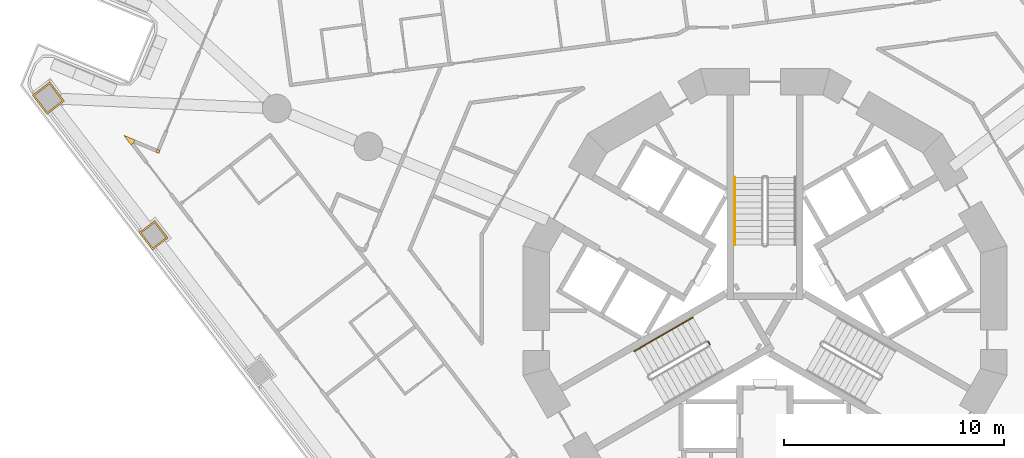
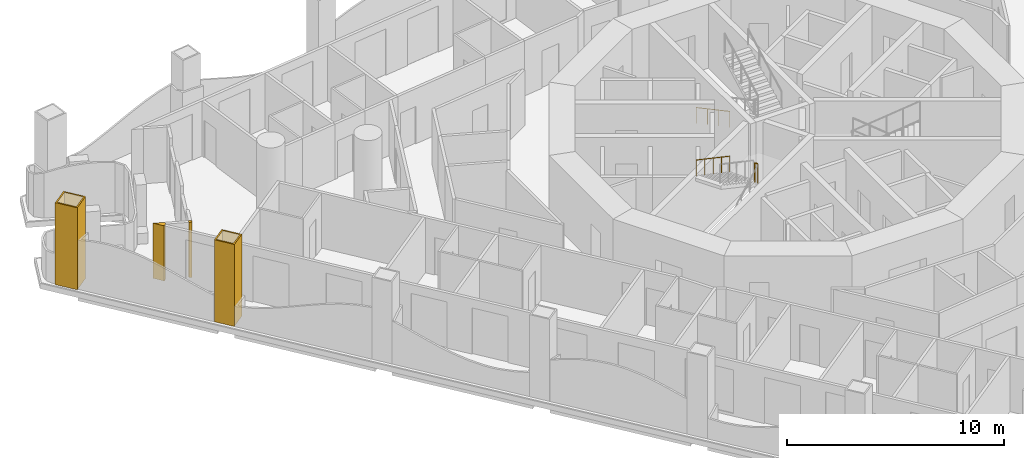
# One storey, part 15 of 19: 4 coverings, 4 railings.
"""IFC4 building model written with IfcOpenShell, lengths in metres."""

import ifcopenshell
import ifcopenshell.guid

model = None  # the IFC model being written
_history = None  # IfcOwnerHistory: only IFC2X3 demands one
_inside = {}  # id of a spatial element -> (the spatial element, [elements in it])
_under = {}  # id of a project, library or spatial element -> (it, [spatial elements below it])
_declared = {}  # id of a project -> (the project, [libraries it declares])
_typed = {}  # id of a type object -> (the type object, [elements of that type])
_made_of = {}  # id of a material, layer set ... -> (it, [elements and type objects made of it])


def new_model(schema):
    """Start an empty IFC model of exactly this schema.

    Asked for "IFC4X3", IfcOpenShell would pick the latest addendum, in which some entities
    have other attributes; the version numbers below select the first issue.
    IFC2X3 requires an IfcOwnerHistory on every rooted entity: one is made here for all.
    """
    global model, _history
    if schema == "IFC4X3":
        model = ifcopenshell.file(schema_version=(4, 3, 0, 0))
    else:
        model = ifcopenshell.file(schema=schema)
    _inside.clear()
    _under.clear()
    _declared.clear()
    _typed.clear()
    _made_of.clear()
    _history = None
    if model.schema == "IFC2X3":
        org = make("IfcOrganization", Name="unknown")
        user = make(
            "IfcPersonAndOrganization",
            ThePerson=make("IfcPerson", FamilyName="unknown"),
            TheOrganization=org,
        )
        app = make(
            "IfcApplication",
            ApplicationDeveloper=org,
            Version="unknown",
            ApplicationFullName="unknown",
            ApplicationIdentifier="unknown",
        )
        _history = make(
            "IfcOwnerHistory",
            OwningUser=user,
            OwningApplication=app,
            ChangeAction="ADDED",
            CreationDate=0,
        )
    return model


def make(cls, **values):
    """One entity of the class cls with the attributes given. An attribute that is None is left unset."""
    return model.create_entity(
        cls, **{name: value for name, value in values.items() if value is not None}
    )


def rooted(cls, **values):
    """An entity with a GlobalId (a new one), such as an element, a storey or a relation."""
    return make(cls, GlobalId=ifcopenshell.guid.new(), OwnerHistory=_history, **values)


def si_unit(unit_type, name, prefix=None):
    """IfcSIUnit, for example si_unit("LENGTHUNIT", "METRE", prefix="MILLI")."""
    return make("IfcSIUnit", UnitType=unit_type, Prefix=prefix, Name=name)


def assignment(units):
    """IfcUnitAssignment: the units of a project."""
    return None if units is None else make("IfcUnitAssignment", Units=units)


def point(xyz):
    """IfcCartesianPoint."""
    return None if xyz is None else make("IfcCartesianPoint", Coordinates=xyz)


def direction(xyz):
    """IfcDirection."""
    return None if xyz is None else make("IfcDirection", DirectionRatios=xyz)


def frame(location, z_axis=None, x_axis=None):
    """IfcAxis2Placement3D, a coordinate frame: its origin and axes. An axis left out is left unset."""
    return make(
        "IfcAxis2Placement3D",
        Location=point(location),
        Axis=direction(z_axis),
        RefDirection=direction(x_axis),
    )


def frame_2d(location, x_axis=None):
    """IfcAxis2Placement2D, a coordinate frame in the plane: its origin and x axis."""
    return make(
        "IfcAxis2Placement2D", Location=point(location), RefDirection=direction(x_axis)
    )


def origin():
    """The frame at (0, 0, 0) with its axes left unset."""
    return frame((0.0, 0.0, 0.0))


def origin_2d():
    """The frame at (0, 0) in the plane with its x axis left unset."""
    return frame_2d((0.0, 0.0))


def place(relative_to, where):
    """IfcLocalPlacement: puts the frame where relative to a parent placement (None: the world)."""
    return make(
        "IfcLocalPlacement", PlacementRelTo=relative_to, RelativePlacement=where
    )


def context(
    kind, dimensions, precision=None, world=None, true_north=None, identifier=None
):
    """IfcGeometricRepresentationContext, for example the 3D "Model" context."""
    return make(
        "IfcGeometricRepresentationContext",
        ContextIdentifier=identifier,
        ContextType=kind,
        CoordinateSpaceDimension=dimensions,
        Precision=precision,
        WorldCoordinateSystem=world,
        TrueNorth=true_north,
    )


def subcontext(parent, identifier, kind, view, scale=None):
    """IfcGeometricRepresentationSubContext, for example "Body" below "Model"."""
    return make(
        "IfcGeometricRepresentationSubContext",
        ContextIdentifier=identifier,
        ContextType=kind,
        ParentContext=parent,
        TargetScale=scale,
        TargetView=view,
    )


def project(units=None, contexts=None):
    """IfcProject with its units and contexts."""
    return rooted(
        "IfcProject",
        Name="project",
        RepresentationContexts=contexts,
        UnitsInContext=assignment(units),
    )


def spatial(cls, under=None, at=None, **own):
    """A site, building, storey or space (cls), placed at a placement, below another one or the project."""
    s = rooted(cls, ObjectPlacement=at, **own)
    if under is not None:
        _under.setdefault(under.id(), (under, []))[1].append(s)
    return s


def polyline(points):
    """IfcPolyline through the points."""
    return make("IfcPolyline", Points=[point(p) for p in points])


def profile(cls, at=None, kind="AREA", **sizes):
    """A parametric profile (cls). Its sizes go by their IFC names, for example OverallWidth=200.0."""
    return make(cls, ProfileType=kind, Position=at, **sizes)


def circle(**sizes):
    """IfcCircleProfileDef."""
    return profile("IfcCircleProfileDef", **sizes)


def outline(outer, holes=None, kind="AREA"):
    """IfcArbitraryClosedProfileDef: a profile drawn as a closed curve; with holes, ...WithVoids."""
    if holes is None:
        return make("IfcArbitraryClosedProfileDef", ProfileType=kind, OuterCurve=outer)
    return make(
        "IfcArbitraryProfileDefWithVoids",
        ProfileType=kind,
        OuterCurve=outer,
        InnerCurves=holes,
    )


def extrude(swept, where, along, depth):
    """IfcExtrudedAreaSolid: the profile swept, set in the frame where, extruded along a direction by depth."""
    return make(
        "IfcExtrudedAreaSolid",
        SweptArea=swept,
        Position=where,
        ExtrudedDirection=direction(along),
        Depth=depth,
    )


def shape(context_of_items, identifier, shape_type, items):
    """IfcShapeRepresentation: the items that make up one representation, for example the "Body"."""
    return make(
        "IfcShapeRepresentation",
        ContextOfItems=context_of_items,
        RepresentationIdentifier=identifier,
        RepresentationType=shape_type,
        Items=items,
    )


def material(Name=None, Category=None):
    """IfcMaterial."""
    return make("IfcMaterial", Name=Name, Category=Category)


def layer(
    of_material, thickness, ventilated=None, Name=None, Category=None, Priority=None
):
    """IfcMaterialLayer: one layer of a wall or slab, of a material (None: an air gap)."""
    return make(
        "IfcMaterialLayer",
        Material=of_material,
        LayerThickness=thickness,
        IsVentilated=ventilated,
        Name=Name,
        Category=Category,
        Priority=Priority,
    )


def layer_set(layers, Name=None):
    """IfcMaterialLayerSet."""
    return make("IfcMaterialLayerSet", MaterialLayers=layers, LayerSetName=Name)


def made_of(thing, what):
    """Note that an element or type object is made of a material, layer set ...; save() writes the relation."""
    if what is not None:
        _made_of.setdefault(what.id(), (what, []))[1].append(thing)
    return thing


def type_object(cls, material=None, **own):
    """A type object (cls), such as IfcWallType, which elements share."""
    return made_of(rooted(cls, **own), material)


def element(
    cls,
    number,
    at=None,
    inside=None,
    cuts=None,
    type_object=None,
    material=None,
    context=None,
    identifier="Body",
    shape_type=None,
    held_by="IfcProductDefinitionShape",
    body=None,
    shapes=None,
    **own,
):
    """One element of the class cls, such as IfcWall. Its Tag is "e" and its number.

    at: its placement. inside: the storey or other place that contains it. cuts: it is an
    opening in that element (IfcRelVoidsElement). A single representation is given by context,
    identifier, shape_type and body (its items); several are given by shapes. held_by: the class
    of the entity that holds the representations. save() writes the other relations.
    """
    e = rooted(cls, Tag="e%d" % number, ObjectPlacement=at, **own)
    if body is not None:
        shapes = [shape(context, identifier, shape_type, body)]
    if shapes is not None:
        e.Representation = make(held_by, Representations=shapes)
    if inside is not None:
        _inside.setdefault(inside.id(), (inside, []))[1].append(e)
    if cuts is not None:
        rooted(
            "IfcRelVoidsElement", RelatingBuildingElement=cuts, RelatedOpeningElement=e
        )
    if type_object is not None:
        _typed.setdefault(type_object.id(), (type_object, []))[1].append(e)
    return made_of(e, material)


def aggregate(whole, parts):
    """IfcRelAggregates: a whole, such as a stair, and the parts it consists of."""
    return rooted("IfcRelAggregates", RelatingObject=whole, RelatedObjects=parts)


def save(model, path):
    """Write the relations noted so far, then the file.

    IfcRelAggregates (storeys below a building ...), IfcRelContainedInSpatialStructure (elements
    in a storey), IfcRelDefinesByType, IfcRelAssociatesMaterial and IfcRelDeclares: one each for
    every whole, place, type object, material and project.
    """
    for whole, parts in _under.values():
        aggregate(whole, parts)
    for where, things in _inside.values():
        rooted(
            "IfcRelContainedInSpatialStructure",
            RelatedElements=things,
            RelatingStructure=where,
        )
    for kind, things in _typed.values():
        rooted("IfcRelDefinesByType", RelatedObjects=things, RelatingType=kind)
    for what, things in _made_of.values():
        rooted("IfcRelAssociatesMaterial", RelatedObjects=things, RelatingMaterial=what)
    for by, libraries in _declared.values():
        rooted("IfcRelDeclares", RelatingContext=by, RelatedDefinitions=libraries)
    model.write(path)


model = new_model("IFC4")

# Units and contexts
model_context = context("Model", 3, precision=1e-05, world=origin(), true_north=direction((0.0, 1.0)))
body_context = subcontext(model_context, "Body", "Model", "MODEL_VIEW")
ifc_project = project(units=[si_unit("LENGTHUNIT", "METRE"), si_unit("AREAUNIT", "SQUARE_METRE"), si_unit("VOLUMEUNIT", "CUBIC_METRE"), si_unit("PLANEANGLEUNIT", "RADIAN"), si_unit("MASSUNIT", "GRAM", prefix="KILO")], contexts=[model_context])

# Site, building, storey
site_placement = place(None, origin())
site = spatial("IfcSite", under=ifc_project, at=site_placement, CompositionType="ELEMENT")
building_placement = place(site_placement, origin())
building = spatial("IfcBuilding", under=site, at=building_placement, Name="Trine Commons Tower", CompositionType="ELEMENT")
storey_placement = place(building_placement, frame((0.0, 0.0, 79.199951171875)))
storey = spatial("IfcBuildingStorey", under=building, at=storey_placement, Name="L19", CompositionType="ELEMENT", Elevation=79.199951171875)

# Coverings
ifc_material_1 = material(Name="Aluminium-framed insulated wall panel", Category="aluminium")
ifc_layer_1 = layer(ifc_material_1, 0.14990234375)
ifc_layer_set_1 = layer_set([ifc_layer_1], Name="Aluminium-framed insulated wall panel")
covering_type_1 = type_object("IfcCoveringType", Name="Glazing corner post, aluminium", PredefinedType="CLADDING", material=ifc_layer_set_1)
covering_1_placement = place(storey_placement, origin())
element("IfcCovering", 1, at=covering_1_placement, inside=storey, type_object=covering_type_1, Name="Glazing corner post 2-01", PredefinedType="CLADDING", context=body_context, shape_type="SweptSolid", body=[
    extrude(outline(polyline([(51.165771484375, 70.038330078125), (51.28466796875, 70.129638671875), (51.342041015625, 70.268310546875), (50.824951171875, 70.482421875), (51.165771484375, 70.038330078125)])), origin(), (0.0, 0.0, 1.0), 3.10009765625),
])
covering_2_placement = place(storey_placement, origin())
element("IfcCovering", 2, at=covering_2_placement, inside=storey, type_object=covering_type_1, Name="Glazing corner post 2-02", PredefinedType="CLADDING", context=body_context, shape_type="SweptSolid", body=[
    extrude(outline(polyline([(52.28759765625, 69.714111328125), (52.42626953125, 69.65673828125), (52.483642578125, 69.79541015625), (52.34521484375, 69.852783203125), (52.28759765625, 69.714111328125)])), origin(), (0.0, 0.0, 1.0), 3.10009765625),
])
ifc_material_2 = material(Name="Limestone, honed", Category="masonry")
ifc_layer_2 = layer(ifc_material_2, 0.074951171875)
ifc_layer_set_2 = layer_set([ifc_layer_2], Name="Limestone, honed")
covering_type_2 = type_object("IfcCoveringType", Name="Limestone column cladding 75", PredefinedType="CLADDING", material=ifc_layer_set_2)
covering_3_placement = place(storey_placement, origin())
element("IfcCovering", 3, at=covering_3_placement, inside=storey, type_object=covering_type_2, Name="Limestone pier cladding 2-07", PredefinedType="CLADDING", context=body_context, shape_type="SweptSolid", body=[
    extrude(outline(polyline([(52.240966796875, 66.599853515625), (51.527099609375, 66.052001953125), (52.1357421875, 65.2587890625), (52.849853515625, 65.806640625), (52.240966796875, 66.599853515625)]), holes=[polyline([(52.227294921875, 66.494873046875), (51.632080078125, 66.0380859375), (52.149658203125, 65.36376953125), (52.74462890625, 65.8203125), (52.227294921875, 66.494873046875)])]), origin(), (0.0, 0.0, 1.0), 4.609619140625),
])
covering_4_placement = place(storey_placement, origin())
element("IfcCovering", 4, at=covering_4_placement, inside=storey, type_object=covering_type_2, Name="Limestone pier cladding 2-08", PredefinedType="CLADDING", context=body_context, shape_type="SweptSolid", body=[
    extrude(outline(polyline([(47.465087890625, 72.90625), (46.671630859375, 72.297607421875), (47.34130859375, 71.4248046875), (48.134765625, 72.033447265625), (47.465087890625, 72.90625)]), holes=[polyline([(47.451171875, 72.801025390625), (46.77685546875, 72.28369140625), (47.355224609375, 71.52978515625), (48.029541015625, 72.04736328125), (47.451171875, 72.801025390625)])]), origin(), (0.0, 0.0, 1.0), 4.609619140625),
])

# Railings
ifc_material_3 = material(Name="Stainless steel balustrade", Category="steel")
railing_type_1 = type_object("IfcRailingType", Name="Stair guard, steel balustrade 1100", PredefinedType="GUARDRAIL", material=ifc_material_3)
railing_1_placement = place(storey_placement, frame((77.490966796875, 60.96484375, 1.800048828125)))
element("IfcRailing", 5, at=railing_1_placement, inside=storey, type_object=railing_type_1, Name="L19 ST2A stair guard 2", PredefinedType="GUARDRAIL", context=body_context, shape_type="SweptSolid", body=[
    extrude(circle(Radius=0.02392578125, at=origin_2d()), frame((0.0, 0.0, 1.076171875), z_axis=(-0.501036270542, 0.865426285481, 0.0), x_axis=(-0.865426285481, -0.501036270542, 0.0)), (0.0, 0.0, 1.0), 0.150146484375),
    extrude(circle(Radius=0.02099609375, at=origin_2d()), origin(), (0.0, 0.0, 1.0), 1.052001953125),
    extrude(circle(Radius=0.02099609375, at=origin_2d()), frame((-0.0751953125, 0.1298828125, 0.0)), (0.0, 0.0, 1.0), 1.052001953125),
])
ifc_material_4 = material(Name="Stainless steel handrail", Category="steel")
railing_type_2 = type_object("IfcRailingType", Name="Stair handrail, steel 900", PredefinedType="HANDRAIL", material=ifc_material_4)
railing_2_placement = place(storey_placement, frame((78.625, 68.570556640625, 0.150146484375)))
element("IfcRailing", 6, at=railing_2_placement, inside=storey, type_object=railing_type_2, Name="L19 ST1A stair handrail 1", PredefinedType="HANDRAIL", context=body_context, shape_type="SweptSolid", body=[
    extrude(circle(Radius=0.02099609375, at=origin_2d()), frame((0.0, 0.0, 0.87890625), z_axis=(0.0, -0.881496589024, 0.472190389079), x_axis=(1.0, 0.0, 0.0)), (0.0, 0.0, 1.0), 3.494140625),
    extrude(circle(Radius=0.01513671875, at=origin_2d()), origin(), (0.0, 0.0, 1.0), 0.85791015625),
    extrude(circle(Radius=0.01513671875, at=origin_2d()), frame((0.0, -1.026611328125, 0.550048828125)), (0.0, 0.0, 1.0), 0.85791015625),
    extrude(circle(Radius=0.01513671875, at=origin_2d()), frame((0.0, -2.053466796875, 1.099853515625)), (0.0, 0.0, 1.0), 0.85791015625),
    extrude(circle(Radius=0.01513671875, at=origin_2d()), frame((0.0, -3.080078125, 1.64990234375)), (0.0, 0.0, 1.0), 0.85791015625),
])
railing_3_placement = place(storey_placement, frame((76.72265625, 62.195556640625, 1.949951171875)))
element("IfcRailing", 7, at=railing_3_placement, inside=storey, type_object=railing_type_2, Name="L19 ST2A stair handrail 3", PredefinedType="HANDRAIL", context=body_context, shape_type="SweptSolid", body=[
    extrude(circle(Radius=0.02099609375, at=origin_2d()), frame((0.0, 0.0, 0.87890625), z_axis=(-0.763354580307, -0.440713956853, 0.472293333596), x_axis=(0.499992328818, -0.866029832698, 0.0)), (0.0, 0.0, 1.0), 1.747314453125),
    extrude(circle(Radius=0.01513671875, at=origin_2d()), origin(), (0.0, 0.0, 1.0), 0.85791015625),
    extrude(circle(Radius=0.01513671875, at=origin_2d()), frame((-0.6669921875, -0.385009765625, 0.41259765625)), (0.0, 0.0, 1.0), 0.85791015625),
    extrude(circle(Radius=0.01513671875, at=origin_2d()), frame((-1.333740234375, -0.77001953125, 0.8251953125)), (0.0, 0.0, 1.0), 0.85791015625),
])
railing_4_placement = place(storey_placement, frame((75.388916015625, 61.425537109375, 2.775146484375)))
element("IfcRailing", 8, at=railing_4_placement, inside=storey, type_object=railing_type_2, Name="L19 ST2A stair handrail 4", PredefinedType="HANDRAIL", context=body_context, shape_type="SweptSolid", body=[
    extrude(circle(Radius=0.02099609375, at=origin_2d()), frame((0.0, 0.0, 0.87890625), z_axis=(-0.76340495495, -0.440743040072, 0.472184759798), x_axis=(0.499992328818, -0.866029832698, 0.0)), (0.0, 0.0, 1.0), 1.7470703125),
    extrude(circle(Radius=0.01513671875, at=origin_2d()), origin(), (0.0, 0.0, 1.0), 0.85791015625),
    extrude(circle(Radius=0.01513671875, at=origin_2d()), frame((-0.6669921875, -0.385009765625, 0.41259765625)), (0.0, 0.0, 1.0), 0.85791015625),
    extrude(circle(Radius=0.01513671875, at=origin_2d()), frame((-1.333740234375, -0.77001953125, 0.824951171875)), (0.0, 0.0, 1.0), 0.85791015625),
])

save(model, "model.ifc")
